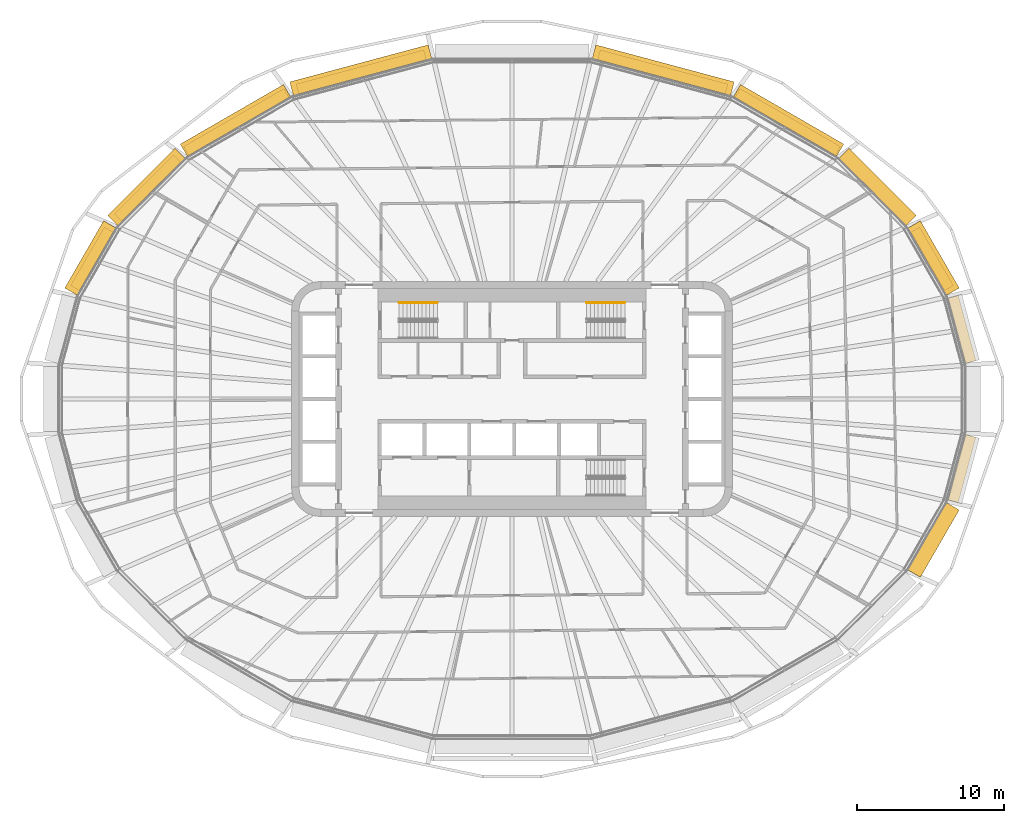
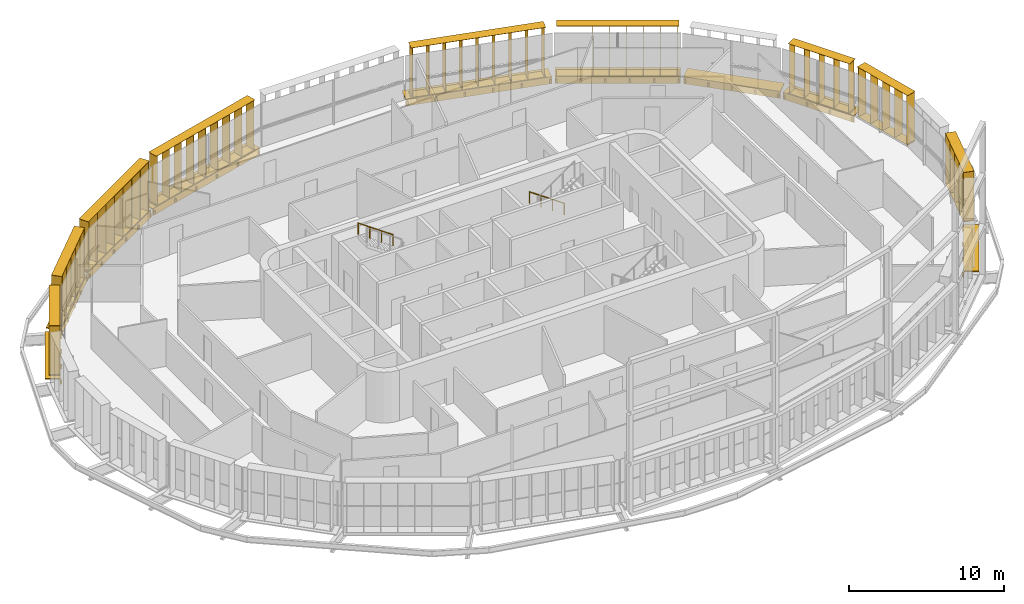
# One storey, part 22 of 23: 18 shading devices, 2 railings.
"""IFC4 building model written with IfcOpenShell, lengths in metres."""

from ifc_helpers import new_model, si_unit, direction, frame, origin, origin_2d, place, context, subcontext, project, spatial, rectangle, circle, extrude, material, type_object, element, save


model = new_model("IFC4")

# Units and contexts
model_context = context("Model", 3, precision=1e-05, world=origin(), true_north=direction((0.0, 1.0)))
body_context = subcontext(model_context, "Body", "Model", "MODEL_VIEW")
ifc_project = project(units=[si_unit("LENGTHUNIT", "METRE"), si_unit("AREAUNIT", "SQUARE_METRE"), si_unit("VOLUMEUNIT", "CUBIC_METRE"), si_unit("PLANEANGLEUNIT", "RADIAN"), si_unit("MASSUNIT", "GRAM", prefix="KILO")], contexts=[model_context])

# Site, building, storey
site_placement = place(None, origin())
site = spatial("IfcSite", under=ifc_project, at=site_placement, CompositionType="ELEMENT")
building_placement = place(site_placement, origin())
building = spatial("IfcBuilding", under=site, at=building_placement, Name="Sahrelin Media Tower", CompositionType="ELEMENT")
storey_placement = place(building_placement, frame((0.0, 0.0, 185.60009765625)))
storey = spatial("IfcBuildingStorey", under=building, at=storey_placement, Name="L39", CompositionType="ELEMENT", Elevation=185.60009765625)

# Shading devices
ifc_material_1 = material(Name="Champagne anodised aluminium 6063-T6", Category="aluminium")
shading_device_type_1 = type_object("IfcShadingDeviceType", Name="Fin cassette", PredefinedType="USERDEFINED", material=ifc_material_1)
shading_device_1_placement = place(storey_placement, frame((30.2041015625, 4.627197265625, 0.0), z_axis=(0.0, 0.0, 1.0), x_axis=(0.258807731996, -0.965928857556, 0.0)))
element("IfcShadingDevice", 1, at=shading_device_1_placement, inside=storey, type_object=shading_device_type_1, Name="L39:FIN:L39-01", ObjectType="FIN", PredefinedType="USERDEFINED", context=body_context, shape_type="SweptSolid", body=[
    extrude(rectangle(XDim=4.60009765625, YDim=0.699951171875, at=origin_2d()), frame((0.0, 0.419921875, 0.0)), (0.0, 0.0, 1.0), 0.02001953125),
    extrude(rectangle(XDim=4.60009765625, YDim=0.699951171875, at=origin_2d()), frame((0.0, 0.419921875, 3.89990234375)), (0.0, 0.0, 1.0), 0.02001953125),
    extrude(rectangle(XDim=0.02001953125, YDim=0.699951171875, at=origin_2d()), frame((-2.199951171875, 0.419921875, 0.010009765625), z_axis=(0.0, 0.0, 1.0), x_axis=(1.0, 0.0, 0.0)), (0.0, 0.0, 1.0), 3.89990234375),
    extrude(rectangle(XDim=0.02001953125, YDim=0.699951171875, at=origin_2d()), frame((-1.10009765625, 0.419921875, 0.010009765625), z_axis=(0.0, 0.0, 1.0), x_axis=(1.0, 0.0, 0.0)), (0.0, 0.0, 1.0), 3.89990234375),
    extrude(rectangle(XDim=0.02001953125, YDim=0.699951171875, at=origin_2d()), frame((0.0, 0.419921875, 0.010009765625), z_axis=(0.0, 0.0, 1.0), x_axis=(1.0, 0.0, 0.0)), (0.0, 0.0, 1.0), 3.89990234375),
    extrude(rectangle(XDim=0.02001953125, YDim=0.699951171875, at=origin_2d()), frame((1.10009765625, 0.419921875, 0.010009765625), z_axis=(0.0, 0.0, 1.0), x_axis=(1.0, 0.0, 0.0)), (0.0, 0.0, 1.0), 3.89990234375),
    extrude(rectangle(XDim=0.02001953125, YDim=0.699951171875, at=origin_2d()), frame((2.199951171875, 0.419921875, 0.010009765625), z_axis=(0.0, 0.0, 1.0), x_axis=(1.0, 0.0, 0.0)), (0.0, 0.0, 1.0), 3.89990234375),
])
placement_1 = place(storey_placement, frame((28.211181640625, 9.324951171875, 0.0), z_axis=(0.0, 0.0, 1.0), x_axis=(0.500011000363, -0.866019052629, 0.0)))
element("IfcShadingDevice", 2, at=placement_1, inside=storey, type_object=shading_device_type_1, Name="L39:FIN:L39-02", ObjectType="FIN", PredefinedType="USERDEFINED", context=body_context, shape_type="SweptSolid", body=[
    extrude(rectangle(XDim=4.60009765625, YDim=0.699951171875, at=origin_2d()), frame((0.0, 0.419921875, 0.0)), (0.0, 0.0, 1.0), 0.02001953125),
    extrude(rectangle(XDim=4.60009765625, YDim=0.699951171875, at=origin_2d()), frame((0.0, 0.419921875, 3.89990234375)), (0.0, 0.0, 1.0), 0.02001953125),
    extrude(rectangle(XDim=0.02001953125, YDim=0.699951171875, at=origin_2d()), frame((-2.199951171875, 0.419921875, 0.010009765625), z_axis=(0.0, 0.0, 1.0), x_axis=(1.0, 0.0, 0.0)), (0.0, 0.0, 1.0), 3.89990234375),
    extrude(rectangle(XDim=0.02001953125, YDim=0.699951171875, at=origin_2d()), frame((-1.10009765625, 0.419921875, 0.010009765625), z_axis=(0.0, 0.0, 1.0), x_axis=(1.0, 0.0, 0.0)), (0.0, 0.0, 1.0), 3.89990234375),
    extrude(rectangle(XDim=0.02001953125, YDim=0.699951171875, at=origin_2d()), frame((0.0, 0.419921875, 0.010009765625), z_axis=(0.0, 0.0, 1.0), x_axis=(1.0, 0.0, 0.0)), (0.0, 0.0, 1.0), 3.89990234375),
    extrude(rectangle(XDim=0.02001953125, YDim=0.699951171875, at=origin_2d()), frame((1.10009765625, 0.419921875, 0.010009765625), z_axis=(0.0, 0.0, 1.0), x_axis=(1.0, 0.0, 0.0)), (0.0, 0.0, 1.0), 3.89990234375),
    extrude(rectangle(XDim=0.02001953125, YDim=0.699951171875, at=origin_2d()), frame((2.199951171875, 0.419921875, 0.010009765625), z_axis=(0.0, 0.0, 1.0), x_axis=(1.0, 0.0, 0.0)), (0.0, 0.0, 1.0), 3.89990234375),
])
placement_2 = place(storey_placement, frame((18.54052734375, 18.47998046875, 0.0), z_axis=(0.0, 0.0, 1.0), x_axis=(0.866019052629, -0.500011000363, 0.0)))
element("IfcShadingDevice", 3, at=placement_2, inside=storey, type_object=shading_device_type_1, Name="L39:FIN:L39-04", ObjectType="FIN", PredefinedType="USERDEFINED", context=body_context, shape_type="SweptSolid", body=[
    extrude(rectangle(XDim=7.89990234375, YDim=0.699951171875, at=origin_2d()), frame((0.0, 0.419921875, 0.0)), (0.0, 0.0, 1.0), 0.02001953125),
    extrude(rectangle(XDim=7.89990234375, YDim=0.699951171875, at=origin_2d()), frame((0.0, 0.419921875, 3.89990234375)), (0.0, 0.0, 1.0), 0.02001953125),
    extrude(rectangle(XDim=0.02001953125, YDim=0.699951171875, at=origin_2d()), frame((-3.85009765625, 0.419921875, 0.010009765625), z_axis=(0.0, 0.0, 1.0), x_axis=(1.0, 0.0, 0.0)), (0.0, 0.0, 1.0), 3.89990234375),
    extrude(rectangle(XDim=0.02001953125, YDim=0.699951171875, at=origin_2d()), frame((-2.75, 0.419921875, 0.010009765625), z_axis=(0.0, 0.0, 1.0), x_axis=(1.0, 0.0, 0.0)), (0.0, 0.0, 1.0), 3.89990234375),
    extrude(rectangle(XDim=0.02001953125, YDim=0.699951171875, at=origin_2d()), frame((-1.64990234375, 0.419921875, 0.010009765625), z_axis=(0.0, 0.0, 1.0), x_axis=(1.0, 0.0, 0.0)), (0.0, 0.0, 1.0), 3.89990234375),
    extrude(rectangle(XDim=0.02001953125, YDim=0.699951171875, at=origin_2d()), frame((-0.550048828125, 0.419921875, 0.010009765625), z_axis=(0.0, 0.0, 1.0), x_axis=(1.0, 0.0, 0.0)), (0.0, 0.0, 1.0), 3.89990234375),
    extrude(rectangle(XDim=0.02001953125, YDim=0.699951171875, at=origin_2d()), frame((0.550048828125, 0.419921875, 0.010009765625), z_axis=(0.0, 0.0, 1.0), x_axis=(1.0, 0.0, 0.0)), (0.0, 0.0, 1.0), 3.89990234375),
    extrude(rectangle(XDim=0.02001953125, YDim=0.699951171875, at=origin_2d()), frame((1.64990234375, 0.419921875, 0.010009765625), z_axis=(0.0, 0.0, 1.0), x_axis=(1.0, 0.0, 0.0)), (0.0, 0.0, 1.0), 3.89990234375),
    extrude(rectangle(XDim=0.02001953125, YDim=0.699951171875, at=origin_2d()), frame((2.75, 0.419921875, 0.010009765625), z_axis=(0.0, 0.0, 1.0), x_axis=(1.0, 0.0, 0.0)), (0.0, 0.0, 1.0), 3.89990234375),
    extrude(rectangle(XDim=0.02001953125, YDim=0.699951171875, at=origin_2d()), frame((3.85009765625, 0.419921875, 0.010009765625), z_axis=(0.0, 0.0, 1.0), x_axis=(1.0, 0.0, 0.0)), (0.0, 0.0, 1.0), 3.89990234375),
])
placement_3 = place(storey_placement, frame((10.143310546875, 21.841796875, 0.0), z_axis=(0.0, 0.0, 1.0), x_axis=(0.965928857556, -0.258807731996, 0.0)))
element("IfcShadingDevice", 4, at=placement_3, inside=storey, type_object=shading_device_type_1, Name="L39:FIN:L39-05", ObjectType="FIN", PredefinedType="USERDEFINED", context=body_context, shape_type="SweptSolid", body=[
    extrude(rectangle(XDim=9.0, YDim=0.699951171875, at=origin_2d()), frame((0.0, 0.419921875, 0.0)), (0.0, 0.0, 1.0), 0.02001953125),
    extrude(rectangle(XDim=9.0, YDim=0.699951171875, at=origin_2d()), frame((0.0, 0.419921875, 3.89990234375)), (0.0, 0.0, 1.0), 0.02001953125),
    extrude(rectangle(XDim=0.02001953125, YDim=0.699951171875, at=origin_2d()), frame((-4.39990234375, 0.419921875, 0.010009765625), z_axis=(0.0, 0.0, 1.0), x_axis=(1.0, 0.0, 0.0)), (0.0, 0.0, 1.0), 3.89990234375),
    extrude(rectangle(XDim=0.02001953125, YDim=0.699951171875, at=origin_2d()), frame((-3.300048828125, 0.419921875, 0.010009765625), z_axis=(0.0, 0.0, 1.0), x_axis=(1.0, 0.0, 0.0)), (0.0, 0.0, 1.0), 3.89990234375),
    extrude(rectangle(XDim=0.02001953125, YDim=0.699951171875, at=origin_2d()), frame((-2.199951171875, 0.419921875, 0.010009765625), z_axis=(0.0, 0.0, 1.0), x_axis=(1.0, 0.0, 0.0)), (0.0, 0.0, 1.0), 3.89990234375),
    extrude(rectangle(XDim=0.02001953125, YDim=0.699951171875, at=origin_2d()), frame((-1.10009765625, 0.419921875, 0.010009765625), z_axis=(0.0, 0.0, 1.0), x_axis=(1.0, 0.0, 0.0)), (0.0, 0.0, 1.0), 3.89990234375),
    extrude(rectangle(XDim=0.02001953125, YDim=0.699951171875, at=origin_2d()), frame((0.0, 0.419921875, 0.010009765625), z_axis=(0.0, 0.0, 1.0), x_axis=(1.0, 0.0, 0.0)), (0.0, 0.0, 1.0), 3.89990234375),
    extrude(rectangle(XDim=0.02001953125, YDim=0.699951171875, at=origin_2d()), frame((1.10009765625, 0.419921875, 0.010009765625), z_axis=(0.0, 0.0, 1.0), x_axis=(1.0, 0.0, 0.0)), (0.0, 0.0, 1.0), 3.89990234375),
    extrude(rectangle(XDim=0.02001953125, YDim=0.699951171875, at=origin_2d()), frame((2.199951171875, 0.419921875, 0.010009765625), z_axis=(0.0, 0.0, 1.0), x_axis=(1.0, 0.0, 0.0)), (0.0, 0.0, 1.0), 3.89990234375),
    extrude(rectangle(XDim=0.02001953125, YDim=0.699951171875, at=origin_2d()), frame((3.300048828125, 0.419921875, 0.010009765625), z_axis=(0.0, 0.0, 1.0), x_axis=(1.0, 0.0, 0.0)), (0.0, 0.0, 1.0), 3.89990234375),
    extrude(rectangle(XDim=0.02001953125, YDim=0.699951171875, at=origin_2d()), frame((4.39990234375, 0.419921875, 0.010009765625), z_axis=(0.0, 0.0, 1.0), x_axis=(1.0, 0.0, 0.0)), (0.0, 0.0, 1.0), 3.89990234375),
])
placement_4 = place(storey_placement, frame((-10.143310546875, 21.841796875, 0.0), z_axis=(0.0, 0.0, 1.0), x_axis=(0.965928857556, 0.258807731996, 0.0)))
element("IfcShadingDevice", 5, at=placement_4, inside=storey, type_object=shading_device_type_1, Name="L39:FIN:L39-07", ObjectType="FIN", PredefinedType="USERDEFINED", context=body_context, shape_type="SweptSolid", body=[
    extrude(rectangle(XDim=9.0, YDim=0.699951171875, at=origin_2d()), frame((0.0, 0.419921875, 0.0)), (0.0, 0.0, 1.0), 0.02001953125),
    extrude(rectangle(XDim=9.0, YDim=0.699951171875, at=origin_2d()), frame((0.0, 0.419921875, 3.89990234375)), (0.0, 0.0, 1.0), 0.02001953125),
    extrude(rectangle(XDim=0.02001953125, YDim=0.699951171875, at=origin_2d()), frame((-4.39990234375, 0.419921875, 0.010009765625), z_axis=(0.0, 0.0, 1.0), x_axis=(1.0, 0.0, 0.0)), (0.0, 0.0, 1.0), 3.89990234375),
    extrude(rectangle(XDim=0.02001953125, YDim=0.699951171875, at=origin_2d()), frame((-3.300048828125, 0.419921875, 0.010009765625), z_axis=(0.0, 0.0, 1.0), x_axis=(1.0, 0.0, 0.0)), (0.0, 0.0, 1.0), 3.89990234375),
    extrude(rectangle(XDim=0.02001953125, YDim=0.699951171875, at=origin_2d()), frame((-2.199951171875, 0.419921875, 0.010009765625), z_axis=(0.0, 0.0, 1.0), x_axis=(1.0, 0.0, 0.0)), (0.0, 0.0, 1.0), 3.89990234375),
    extrude(rectangle(XDim=0.02001953125, YDim=0.699951171875, at=origin_2d()), frame((-1.10009765625, 0.419921875, 0.010009765625), z_axis=(0.0, 0.0, 1.0), x_axis=(1.0, 0.0, 0.0)), (0.0, 0.0, 1.0), 3.89990234375),
    extrude(rectangle(XDim=0.02001953125, YDim=0.699951171875, at=origin_2d()), frame((0.0, 0.419921875, 0.010009765625), z_axis=(0.0, 0.0, 1.0), x_axis=(1.0, 0.0, 0.0)), (0.0, 0.0, 1.0), 3.89990234375),
    extrude(rectangle(XDim=0.02001953125, YDim=0.699951171875, at=origin_2d()), frame((1.10009765625, 0.419921875, 0.010009765625), z_axis=(0.0, 0.0, 1.0), x_axis=(1.0, 0.0, 0.0)), (0.0, 0.0, 1.0), 3.89990234375),
    extrude(rectangle(XDim=0.02001953125, YDim=0.699951171875, at=origin_2d()), frame((2.199951171875, 0.419921875, 0.010009765625), z_axis=(0.0, 0.0, 1.0), x_axis=(1.0, 0.0, 0.0)), (0.0, 0.0, 1.0), 3.89990234375),
    extrude(rectangle(XDim=0.02001953125, YDim=0.699951171875, at=origin_2d()), frame((3.300048828125, 0.419921875, 0.010009765625), z_axis=(0.0, 0.0, 1.0), x_axis=(1.0, 0.0, 0.0)), (0.0, 0.0, 1.0), 3.89990234375),
    extrude(rectangle(XDim=0.02001953125, YDim=0.699951171875, at=origin_2d()), frame((4.39990234375, 0.419921875, 0.010009765625), z_axis=(0.0, 0.0, 1.0), x_axis=(1.0, 0.0, 0.0)), (0.0, 0.0, 1.0), 3.89990234375),
])
placement_5 = place(storey_placement, frame((-18.540283203125, 18.479736328125, 0.0), z_axis=(0.0, 0.0, 1.0), x_axis=(0.866019052629, 0.500011000363, 0.0)))
element("IfcShadingDevice", 6, at=placement_5, inside=storey, type_object=shading_device_type_1, Name="L39:FIN:L39-08", ObjectType="FIN", PredefinedType="USERDEFINED", context=body_context, shape_type="SweptSolid", body=[
    extrude(rectangle(XDim=7.89990234375, YDim=0.699951171875, at=origin_2d()), frame((0.0, 0.419921875, 0.0)), (0.0, 0.0, 1.0), 0.02001953125),
    extrude(rectangle(XDim=7.89990234375, YDim=0.699951171875, at=origin_2d()), frame((0.0, 0.419921875, 3.89990234375)), (0.0, 0.0, 1.0), 0.02001953125),
    extrude(rectangle(XDim=0.02001953125, YDim=0.699951171875, at=origin_2d()), frame((-3.85009765625, 0.419921875, 0.010009765625), z_axis=(0.0, 0.0, 1.0), x_axis=(1.0, 0.0, 0.0)), (0.0, 0.0, 1.0), 3.89990234375),
    extrude(rectangle(XDim=0.02001953125, YDim=0.699951171875, at=origin_2d()), frame((-2.75, 0.419921875, 0.010009765625), z_axis=(0.0, 0.0, 1.0), x_axis=(1.0, 0.0, 0.0)), (0.0, 0.0, 1.0), 3.89990234375),
    extrude(rectangle(XDim=0.02001953125, YDim=0.699951171875, at=origin_2d()), frame((-1.64990234375, 0.419921875, 0.010009765625), z_axis=(0.0, 0.0, 1.0), x_axis=(1.0, 0.0, 0.0)), (0.0, 0.0, 1.0), 3.89990234375),
    extrude(rectangle(XDim=0.02001953125, YDim=0.699951171875, at=origin_2d()), frame((-0.550048828125, 0.419921875, 0.010009765625), z_axis=(0.0, 0.0, 1.0), x_axis=(1.0, 0.0, 0.0)), (0.0, 0.0, 1.0), 3.89990234375),
    extrude(rectangle(XDim=0.02001953125, YDim=0.699951171875, at=origin_2d()), frame((0.550048828125, 0.419921875, 0.010009765625), z_axis=(0.0, 0.0, 1.0), x_axis=(1.0, 0.0, 0.0)), (0.0, 0.0, 1.0), 3.89990234375),
    extrude(rectangle(XDim=0.02001953125, YDim=0.699951171875, at=origin_2d()), frame((1.64990234375, 0.419921875, 0.010009765625), z_axis=(0.0, 0.0, 1.0), x_axis=(1.0, 0.0, 0.0)), (0.0, 0.0, 1.0), 3.89990234375),
    extrude(rectangle(XDim=0.02001953125, YDim=0.699951171875, at=origin_2d()), frame((2.75, 0.419921875, 0.010009765625), z_axis=(0.0, 0.0, 1.0), x_axis=(1.0, 0.0, 0.0)), (0.0, 0.0, 1.0), 3.89990234375),
    extrude(rectangle(XDim=0.02001953125, YDim=0.699951171875, at=origin_2d()), frame((3.85009765625, 0.419921875, 0.010009765625), z_axis=(0.0, 0.0, 1.0), x_axis=(1.0, 0.0, 0.0)), (0.0, 0.0, 1.0), 3.89990234375),
])
placement_6 = place(storey_placement, frame((-24.48779296875, 14.05126953125, 0.0), z_axis=(0.0, 0.0, 1.0), x_axis=(0.707106781187, 0.707106781187, 0.0)))
element("IfcShadingDevice", 7, at=placement_6, inside=storey, type_object=shading_device_type_1, Name="L39:FIN:L39-09", ObjectType="FIN", PredefinedType="USERDEFINED", context=body_context, shape_type="SweptSolid", body=[
    extrude(rectangle(XDim=5.699951171875, YDim=0.699951171875, at=origin_2d()), frame((0.0, 0.419921875, 0.0)), (0.0, 0.0, 1.0), 0.02001953125),
    extrude(rectangle(XDim=5.699951171875, YDim=0.699951171875, at=origin_2d()), frame((0.0, 0.419921875, 3.89990234375)), (0.0, 0.0, 1.0), 0.02001953125),
    extrude(rectangle(XDim=0.02001953125, YDim=0.699951171875, at=origin_2d()), frame((-2.75, 0.419921875, 0.010009765625), z_axis=(0.0, 0.0, 1.0), x_axis=(1.0, 0.0, 0.0)), (0.0, 0.0, 1.0), 3.89990234375),
    extrude(rectangle(XDim=0.02001953125, YDim=0.699951171875, at=origin_2d()), frame((-1.64990234375, 0.419921875, 0.010009765625), z_axis=(0.0, 0.0, 1.0), x_axis=(1.0, 0.0, 0.0)), (0.0, 0.0, 1.0), 3.89990234375),
    extrude(rectangle(XDim=0.02001953125, YDim=0.699951171875, at=origin_2d()), frame((-0.550048828125, 0.419921875, 0.010009765625), z_axis=(0.0, 0.0, 1.0), x_axis=(1.0, 0.0, 0.0)), (0.0, 0.0, 1.0), 3.89990234375),
    extrude(rectangle(XDim=0.02001953125, YDim=0.699951171875, at=origin_2d()), frame((0.550048828125, 0.419921875, 0.010009765625), z_axis=(0.0, 0.0, 1.0), x_axis=(1.0, 0.0, 0.0)), (0.0, 0.0, 1.0), 3.89990234375),
    extrude(rectangle(XDim=0.02001953125, YDim=0.699951171875, at=origin_2d()), frame((1.64990234375, 0.419921875, 0.010009765625), z_axis=(0.0, 0.0, 1.0), x_axis=(1.0, 0.0, 0.0)), (0.0, 0.0, 1.0), 3.89990234375),
    extrude(rectangle(XDim=0.02001953125, YDim=0.699951171875, at=origin_2d()), frame((2.75, 0.419921875, 0.010009765625), z_axis=(0.0, 0.0, 1.0), x_axis=(1.0, 0.0, 0.0)), (0.0, 0.0, 1.0), 3.89990234375),
])
placement_7 = place(storey_placement, frame((-28.211181640625, 9.324951171875, 0.0), z_axis=(0.0, 0.0, 1.0), x_axis=(0.500011000363, 0.866019052629, 0.0)))
element("IfcShadingDevice", 8, at=placement_7, inside=storey, type_object=shading_device_type_1, Name="L39:FIN:L39-10", ObjectType="FIN", PredefinedType="USERDEFINED", context=body_context, shape_type="SweptSolid", body=[
    extrude(rectangle(XDim=4.60009765625, YDim=0.699951171875, at=origin_2d()), frame((0.0, 0.419921875, 0.0)), (0.0, 0.0, 1.0), 0.02001953125),
    extrude(rectangle(XDim=4.60009765625, YDim=0.699951171875, at=origin_2d()), frame((0.0, 0.419921875, 3.89990234375)), (0.0, 0.0, 1.0), 0.02001953125),
    extrude(rectangle(XDim=0.02001953125, YDim=0.699951171875, at=origin_2d()), frame((-2.199951171875, 0.419921875, 0.010009765625), z_axis=(0.0, 0.0, 1.0), x_axis=(1.0, 0.0, 0.0)), (0.0, 0.0, 1.0), 3.89990234375),
    extrude(rectangle(XDim=0.02001953125, YDim=0.699951171875, at=origin_2d()), frame((-1.10009765625, 0.419921875, 0.010009765625), z_axis=(0.0, 0.0, 1.0), x_axis=(1.0, 0.0, 0.0)), (0.0, 0.0, 1.0), 3.89990234375),
    extrude(rectangle(XDim=0.02001953125, YDim=0.699951171875, at=origin_2d()), frame((0.0, 0.419921875, 0.010009765625), z_axis=(0.0, 0.0, 1.0), x_axis=(1.0, 0.0, 0.0)), (0.0, 0.0, 1.0), 3.89990234375),
    extrude(rectangle(XDim=0.02001953125, YDim=0.699951171875, at=origin_2d()), frame((1.10009765625, 0.419921875, 0.010009765625), z_axis=(0.0, 0.0, 1.0), x_axis=(1.0, 0.0, 0.0)), (0.0, 0.0, 1.0), 3.89990234375),
    extrude(rectangle(XDim=0.02001953125, YDim=0.699951171875, at=origin_2d()), frame((2.199951171875, 0.419921875, 0.010009765625), z_axis=(0.0, 0.0, 1.0), x_axis=(1.0, 0.0, 0.0)), (0.0, 0.0, 1.0), 3.89990234375),
])
shading_device_9_placement = place(storey_placement, frame((30.2041015625, -4.627197265625, 0.0), z_axis=(0.0, 0.0, 1.0), x_axis=(-0.258807731996, -0.965928857556, 0.0)))
element("IfcShadingDevice", 9, at=shading_device_9_placement, inside=storey, type_object=shading_device_type_1, Name="L39:FIN:L39-23", ObjectType="FIN", PredefinedType="USERDEFINED", context=body_context, shape_type="SweptSolid", body=[
    extrude(rectangle(XDim=4.60009765625, YDim=0.699951171875, at=origin_2d()), frame((0.0, 0.419921875, 0.0)), (0.0, 0.0, 1.0), 0.02001953125),
    extrude(rectangle(XDim=4.60009765625, YDim=0.699951171875, at=origin_2d()), frame((0.0, 0.419921875, 3.89990234375)), (0.0, 0.0, 1.0), 0.02001953125),
    extrude(rectangle(XDim=0.02001953125, YDim=0.699951171875, at=origin_2d()), frame((-2.199951171875, 0.419921875, 0.010009765625), z_axis=(0.0, 0.0, 1.0), x_axis=(1.0, 0.0, 0.0)), (0.0, 0.0, 1.0), 3.89990234375),
    extrude(rectangle(XDim=0.02001953125, YDim=0.699951171875, at=origin_2d()), frame((-1.10009765625, 0.419921875, 0.010009765625), z_axis=(0.0, 0.0, 1.0), x_axis=(1.0, 0.0, 0.0)), (0.0, 0.0, 1.0), 3.89990234375),
    extrude(rectangle(XDim=0.02001953125, YDim=0.699951171875, at=origin_2d()), frame((0.0, 0.419921875, 0.010009765625), z_axis=(0.0, 0.0, 1.0), x_axis=(1.0, 0.0, 0.0)), (0.0, 0.0, 1.0), 3.89990234375),
    extrude(rectangle(XDim=0.02001953125, YDim=0.699951171875, at=origin_2d()), frame((1.10009765625, 0.419921875, 0.010009765625), z_axis=(0.0, 0.0, 1.0), x_axis=(1.0, 0.0, 0.0)), (0.0, 0.0, 1.0), 3.89990234375),
    extrude(rectangle(XDim=0.02001953125, YDim=0.699951171875, at=origin_2d()), frame((2.199951171875, 0.419921875, 0.010009765625), z_axis=(0.0, 0.0, 1.0), x_axis=(1.0, 0.0, 0.0)), (0.0, 0.0, 1.0), 3.89990234375),
])

# Railings
ifc_material_2 = material(Name="Steel S355", Category="steel")
railing_type = type_object("IfcRailingType", Name="Stair handrail 900", PredefinedType="HANDRAIL", material=ifc_material_2)
for number, where, name in (
    (10, (-5.074951171875, 6.550048828125, 2.181640625), "L39 ST1 stair handrail 2"),
    (11, (7.675048828125, 6.550048828125, 0.181640625), "L39 ST3 stair handrail 1"),
):
    element("IfcRailing", number, at=place(storey_placement, frame(where)), inside=storey, type_object=railing_type, Name=name, PredefinedType="HANDRAIL", context=body_context, shape_type="SweptSolid", body=[
        extrude(circle(Radius=0.02392578125, at=origin_2d()), frame((0.0, 0.0, 0.8759765625), z_axis=(-0.819484887739, 0.0, 0.573100792852), x_axis=(0.0, -1.0, 0.0)), (0.0, 0.0, 1.0), 3.1728515625),
        extrude(circle(Radius=0.02099609375, at=origin_2d()), origin(), (0.0, 0.0, 1.0), 0.851806640625),
        extrude(circle(Radius=0.02099609375, at=origin_2d()), frame((-0.86669921875, 0.0, 0.606201171875)), (0.0, 0.0, 1.0), 0.851806640625),
        extrude(circle(Radius=0.02099609375, at=origin_2d()), frame((-1.7333984375, 0.0, 1.212158203125)), (0.0, 0.0, 1.0), 0.851806640625),
        extrude(circle(Radius=0.02099609375, at=origin_2d()), frame((-2.60009765625, 0.0, 1.818359375)), (0.0, 0.0, 1.0), 0.851806640625),
    ])

# Shading devices
shading_device_type_2 = type_object("IfcShadingDeviceType", Name="Sunshade band", PredefinedType="USERDEFINED", material=ifc_material_1)
element("IfcShadingDevice", 12, at=placement_1, inside=storey, type_object=shading_device_type_2, Name="L39:SUN:L39-02", ObjectType="SUNSHADE", PredefinedType="USERDEFINED", context=body_context, shape_type="SweptSolid", body=[
    extrude(rectangle(XDim=5.279052734375, YDim=0.050048828125, at=origin_2d()), frame((0.0, 0.044921875, -0.55126953125)), (0.0, 0.0, 1.0), 0.471435546875),
    extrude(rectangle(XDim=5.279052734375, YDim=1.0, at=origin_2d()), frame((0.0, 0.52001953125, -0.080078125)), (0.0, 0.0, 1.0), 0.080078125),
    extrude(rectangle(XDim=0.10009765625, YDim=0.074951171875, at=origin_2d()), frame((-2.53955078125, -0.017578125, -0.47021484375)), (0.0, 0.0, 1.0), 0.300048828125),
    extrude(rectangle(XDim=0.10009765625, YDim=0.074951171875, at=origin_2d()), frame((-0.846435546875, -0.017578125, -0.47021484375)), (0.0, 0.0, 1.0), 0.300048828125),
    extrude(rectangle(XDim=0.10009765625, YDim=0.074951171875, at=origin_2d()), frame((0.846435546875, -0.017578125, -0.47021484375)), (0.0, 0.0, 1.0), 0.300048828125),
    extrude(rectangle(XDim=0.10009765625, YDim=0.074951171875, at=origin_2d()), frame((2.53955078125, -0.017578125, -0.47021484375)), (0.0, 0.0, 1.0), 0.300048828125),
])
shading_device_11_placement = place(storey_placement, frame((24.48779296875, 14.05126953125, 0.0), z_axis=(0.0, 0.0, 1.0), x_axis=(0.707106781187, -0.707106781187, 0.0)))
element("IfcShadingDevice", 13, at=shading_device_11_placement, inside=storey, type_object=shading_device_type_2, Name="L39:SUN:L39-03", ObjectType="SUNSHADE", PredefinedType="USERDEFINED", context=body_context, shape_type="SweptSolid", body=[
    extrude(rectangle(XDim=6.45751953125, YDim=0.050048828125, at=origin_2d()), frame((0.0, 0.044921875, -0.55126953125)), (0.0, 0.0, 1.0), 0.471435546875),
    extrude(rectangle(XDim=6.45751953125, YDim=1.0, at=origin_2d()), frame((0.0, 0.52001953125, -0.080078125)), (0.0, 0.0, 1.0), 0.080078125),
    extrude(rectangle(XDim=0.10009765625, YDim=0.074951171875, at=origin_2d()), frame((-3.12890625, -0.017578125, -0.47021484375)), (0.0, 0.0, 1.0), 0.300048828125),
    extrude(rectangle(XDim=0.10009765625, YDim=0.074951171875, at=origin_2d()), frame((-1.564453125, -0.017578125, -0.47021484375)), (0.0, 0.0, 1.0), 0.300048828125),
    extrude(rectangle(XDim=0.10009765625, YDim=0.074951171875, at=origin_2d()), frame((0.0, -0.017578125, -0.47021484375)), (0.0, 0.0, 1.0), 0.300048828125),
    extrude(rectangle(XDim=0.10009765625, YDim=0.074951171875, at=origin_2d()), frame((1.564453125, -0.017578125, -0.47021484375)), (0.0, 0.0, 1.0), 0.300048828125),
    extrude(rectangle(XDim=0.10009765625, YDim=0.074951171875, at=origin_2d()), frame((3.12890625, -0.017578125, -0.47021484375)), (0.0, 0.0, 1.0), 0.300048828125),
])
element("IfcShadingDevice", 14, at=placement_2, inside=storey, type_object=shading_device_type_2, Name="L39:SUN:L39-04", ObjectType="SUNSHADE", PredefinedType="USERDEFINED", context=body_context, shape_type="SweptSolid", body=[
    extrude(rectangle(XDim=8.09912109375, YDim=0.050048828125, at=origin_2d()), frame((0.0, 0.044921875, -0.55126953125)), (0.0, 0.0, 1.0), 0.471435546875),
    extrude(rectangle(XDim=8.09912109375, YDim=1.0, at=origin_2d()), frame((0.0, 0.52001953125, -0.080078125)), (0.0, 0.0, 1.0), 0.080078125),
    extrude(rectangle(XDim=0.10009765625, YDim=0.074951171875, at=origin_2d()), frame((-3.949462890625, -0.017578125, -0.47021484375)), (0.0, 0.0, 1.0), 0.300048828125),
    extrude(rectangle(XDim=0.10009765625, YDim=0.074951171875, at=origin_2d()), frame((-2.36962890625, -0.017578125, -0.47021484375)), (0.0, 0.0, 1.0), 0.300048828125),
    extrude(rectangle(XDim=0.10009765625, YDim=0.074951171875, at=origin_2d()), frame((-0.789794921875, -0.017578125, -0.47021484375)), (0.0, 0.0, 1.0), 0.300048828125),
    extrude(rectangle(XDim=0.10009765625, YDim=0.074951171875, at=origin_2d()), frame((0.789794921875, -0.017578125, -0.47021484375)), (0.0, 0.0, 1.0), 0.300048828125),
    extrude(rectangle(XDim=0.10009765625, YDim=0.074951171875, at=origin_2d()), frame((2.36962890625, -0.017578125, -0.47021484375)), (0.0, 0.0, 1.0), 0.300048828125),
    extrude(rectangle(XDim=0.10009765625, YDim=0.074951171875, at=origin_2d()), frame((3.949462890625, -0.017578125, -0.47021484375)), (0.0, 0.0, 1.0), 0.300048828125),
])
element("IfcShadingDevice", 15, at=placement_3, inside=storey, type_object=shading_device_type_2, Name="L39:SUN:L39-05", ObjectType="SUNSHADE", PredefinedType="USERDEFINED", context=body_context, shape_type="SweptSolid", body=[
    extrude(rectangle(XDim=9.74609375, YDim=0.050048828125, at=origin_2d()), frame((0.0, 0.044921875, -0.55126953125)), (0.0, 0.0, 1.0), 0.471435546875),
    extrude(rectangle(XDim=9.74609375, YDim=1.0, at=origin_2d()), frame((0.0, 0.52001953125, -0.080078125)), (0.0, 0.0, 1.0), 0.080078125),
    extrude(rectangle(XDim=0.10009765625, YDim=0.074951171875, at=origin_2d()), frame((-4.773193359375, -0.017578125, -0.47021484375)), (0.0, 0.0, 1.0), 0.300048828125),
    extrude(rectangle(XDim=0.10009765625, YDim=0.074951171875, at=origin_2d()), frame((-2.864013671875, -0.017578125, -0.47021484375)), (0.0, 0.0, 1.0), 0.300048828125),
    extrude(rectangle(XDim=0.10009765625, YDim=0.074951171875, at=origin_2d()), frame((-0.95458984375, -0.017578125, -0.47021484375)), (0.0, 0.0, 1.0), 0.300048828125),
    extrude(rectangle(XDim=0.10009765625, YDim=0.074951171875, at=origin_2d()), frame((0.95458984375, -0.017578125, -0.47021484375)), (0.0, 0.0, 1.0), 0.300048828125),
    extrude(rectangle(XDim=0.10009765625, YDim=0.074951171875, at=origin_2d()), frame((2.864013671875, -0.017578125, -0.47021484375)), (0.0, 0.0, 1.0), 0.300048828125),
    extrude(rectangle(XDim=0.10009765625, YDim=0.074951171875, at=origin_2d()), frame((4.773193359375, -0.017578125, -0.47021484375)), (0.0, 0.0, 1.0), 0.300048828125),
])
element("IfcShadingDevice", 16, at=placement_4, inside=storey, type_object=shading_device_type_2, Name="L39:SUN:L39-07", ObjectType="SUNSHADE", PredefinedType="USERDEFINED", context=body_context, shape_type="SweptSolid", body=[
    extrude(rectangle(XDim=9.74609375, YDim=0.050048828125, at=origin_2d()), frame((0.0, 0.044921875, -0.55126953125)), (0.0, 0.0, 1.0), 0.471435546875),
    extrude(rectangle(XDim=9.74609375, YDim=1.0, at=origin_2d()), frame((0.0, 0.52001953125, -0.080078125)), (0.0, 0.0, 1.0), 0.080078125),
    extrude(rectangle(XDim=0.10009765625, YDim=0.074951171875, at=origin_2d()), frame((-4.773193359375, -0.017578125, -0.47021484375)), (0.0, 0.0, 1.0), 0.300048828125),
    extrude(rectangle(XDim=0.10009765625, YDim=0.074951171875, at=origin_2d()), frame((-2.864013671875, -0.017578125, -0.47021484375)), (0.0, 0.0, 1.0), 0.300048828125),
    extrude(rectangle(XDim=0.10009765625, YDim=0.074951171875, at=origin_2d()), frame((-0.95458984375, -0.017578125, -0.47021484375)), (0.0, 0.0, 1.0), 0.300048828125),
    extrude(rectangle(XDim=0.10009765625, YDim=0.074951171875, at=origin_2d()), frame((0.95458984375, -0.017578125, -0.47021484375)), (0.0, 0.0, 1.0), 0.300048828125),
    extrude(rectangle(XDim=0.10009765625, YDim=0.074951171875, at=origin_2d()), frame((2.864013671875, -0.017578125, -0.47021484375)), (0.0, 0.0, 1.0), 0.300048828125),
    extrude(rectangle(XDim=0.10009765625, YDim=0.074951171875, at=origin_2d()), frame((4.773193359375, -0.017578125, -0.47021484375)), (0.0, 0.0, 1.0), 0.300048828125),
])
element("IfcShadingDevice", 17, at=placement_5, inside=storey, type_object=shading_device_type_2, Name="L39:SUN:L39-08", ObjectType="SUNSHADE", PredefinedType="USERDEFINED", context=body_context, shape_type="SweptSolid", body=[
    extrude(rectangle(XDim=8.09912109375, YDim=0.050048828125, at=origin_2d()), frame((0.0, 0.044921875, -0.55126953125)), (0.0, 0.0, 1.0), 0.471435546875),
    extrude(rectangle(XDim=8.09912109375, YDim=1.0, at=origin_2d()), frame((0.0, 0.52001953125, -0.080078125)), (0.0, 0.0, 1.0), 0.080078125),
    extrude(rectangle(XDim=0.10009765625, YDim=0.074951171875, at=origin_2d()), frame((-3.949462890625, -0.017578125, -0.47021484375)), (0.0, 0.0, 1.0), 0.300048828125),
    extrude(rectangle(XDim=0.10009765625, YDim=0.074951171875, at=origin_2d()), frame((-2.36962890625, -0.017578125, -0.47021484375)), (0.0, 0.0, 1.0), 0.300048828125),
    extrude(rectangle(XDim=0.10009765625, YDim=0.074951171875, at=origin_2d()), frame((-0.789794921875, -0.017578125, -0.47021484375)), (0.0, 0.0, 1.0), 0.300048828125),
    extrude(rectangle(XDim=0.10009765625, YDim=0.074951171875, at=origin_2d()), frame((0.789794921875, -0.017578125, -0.47021484375)), (0.0, 0.0, 1.0), 0.300048828125),
    extrude(rectangle(XDim=0.10009765625, YDim=0.074951171875, at=origin_2d()), frame((2.36962890625, -0.017578125, -0.47021484375)), (0.0, 0.0, 1.0), 0.300048828125),
    extrude(rectangle(XDim=0.10009765625, YDim=0.074951171875, at=origin_2d()), frame((3.949462890625, -0.017578125, -0.47021484375)), (0.0, 0.0, 1.0), 0.300048828125),
])
element("IfcShadingDevice", 18, at=placement_6, inside=storey, type_object=shading_device_type_2, Name="L39:SUN:L39-09", ObjectType="SUNSHADE", PredefinedType="USERDEFINED", context=body_context, shape_type="SweptSolid", body=[
    extrude(rectangle(XDim=6.45751953125, YDim=0.050048828125, at=origin_2d()), frame((0.0, 0.044921875, -0.55126953125)), (0.0, 0.0, 1.0), 0.471435546875),
    extrude(rectangle(XDim=6.45751953125, YDim=1.0, at=origin_2d()), frame((0.0, 0.52001953125, -0.080078125)), (0.0, 0.0, 1.0), 0.080078125),
    extrude(rectangle(XDim=0.10009765625, YDim=0.074951171875, at=origin_2d()), frame((-3.12890625, -0.017578125, -0.47021484375)), (0.0, 0.0, 1.0), 0.300048828125),
    extrude(rectangle(XDim=0.10009765625, YDim=0.074951171875, at=origin_2d()), frame((-1.564453125, -0.017578125, -0.47021484375)), (0.0, 0.0, 1.0), 0.300048828125),
    extrude(rectangle(XDim=0.10009765625, YDim=0.074951171875, at=origin_2d()), frame((0.0, -0.017578125, -0.47021484375)), (0.0, 0.0, 1.0), 0.300048828125),
    extrude(rectangle(XDim=0.10009765625, YDim=0.074951171875, at=origin_2d()), frame((1.564453125, -0.017578125, -0.47021484375)), (0.0, 0.0, 1.0), 0.300048828125),
    extrude(rectangle(XDim=0.10009765625, YDim=0.074951171875, at=origin_2d()), frame((3.12890625, -0.017578125, -0.47021484375)), (0.0, 0.0, 1.0), 0.300048828125),
])
element("IfcShadingDevice", 19, at=placement_7, inside=storey, type_object=shading_device_type_2, Name="L39:SUN:L39-10", ObjectType="SUNSHADE", PredefinedType="USERDEFINED", context=body_context, shape_type="SweptSolid", body=[
    extrude(rectangle(XDim=5.279052734375, YDim=0.050048828125, at=origin_2d()), frame((0.0, 0.044921875, -0.55126953125)), (0.0, 0.0, 1.0), 0.471435546875),
    extrude(rectangle(XDim=5.279052734375, YDim=1.0, at=origin_2d()), frame((0.0, 0.52001953125, -0.080078125)), (0.0, 0.0, 1.0), 0.080078125),
    extrude(rectangle(XDim=0.10009765625, YDim=0.074951171875, at=origin_2d()), frame((-2.53955078125, -0.017578125, -0.47021484375)), (0.0, 0.0, 1.0), 0.300048828125),
    extrude(rectangle(XDim=0.10009765625, YDim=0.074951171875, at=origin_2d()), frame((-0.846435546875, -0.017578125, -0.47021484375)), (0.0, 0.0, 1.0), 0.300048828125),
    extrude(rectangle(XDim=0.10009765625, YDim=0.074951171875, at=origin_2d()), frame((0.846435546875, -0.017578125, -0.47021484375)), (0.0, 0.0, 1.0), 0.300048828125),
    extrude(rectangle(XDim=0.10009765625, YDim=0.074951171875, at=origin_2d()), frame((2.53955078125, -0.017578125, -0.47021484375)), (0.0, 0.0, 1.0), 0.300048828125),
])
shading_device_18_placement = place(storey_placement, frame((28.211181640625, -9.324951171875, 0.0), z_axis=(0.0, 0.0, 1.0), x_axis=(-0.500011000363, -0.866019052629, 0.0)))
element("IfcShadingDevice", 20, at=shading_device_18_placement, inside=storey, type_object=shading_device_type_2, Name="L39:SUN:L39-22", ObjectType="SUNSHADE", PredefinedType="USERDEFINED", context=body_context, shape_type="SweptSolid", body=[
    extrude(rectangle(XDim=5.279052734375, YDim=0.050048828125, at=origin_2d()), frame((0.0, 0.044921875, -0.55126953125)), (0.0, 0.0, 1.0), 0.471435546875),
    extrude(rectangle(XDim=5.279052734375, YDim=1.0, at=origin_2d()), frame((0.0, 0.52001953125, -0.080078125)), (0.0, 0.0, 1.0), 0.080078125),
    extrude(rectangle(XDim=0.10009765625, YDim=0.074951171875, at=origin_2d()), frame((-2.53955078125, -0.017578125, -0.47021484375)), (0.0, 0.0, 1.0), 0.300048828125),
    extrude(rectangle(XDim=0.10009765625, YDim=0.074951171875, at=origin_2d()), frame((-0.846435546875, -0.017578125, -0.47021484375)), (0.0, 0.0, 1.0), 0.300048828125),
    extrude(rectangle(XDim=0.10009765625, YDim=0.074951171875, at=origin_2d()), frame((0.846435546875, -0.017578125, -0.47021484375)), (0.0, 0.0, 1.0), 0.300048828125),
    extrude(rectangle(XDim=0.10009765625, YDim=0.074951171875, at=origin_2d()), frame((2.53955078125, -0.017578125, -0.47021484375)), (0.0, 0.0, 1.0), 0.300048828125),
])

save(model, "model.ifc")
